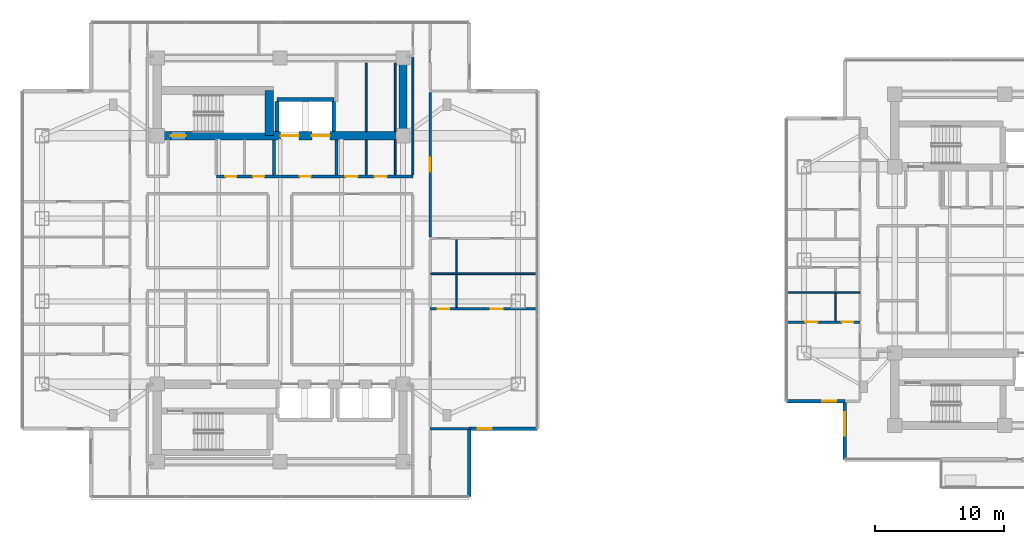
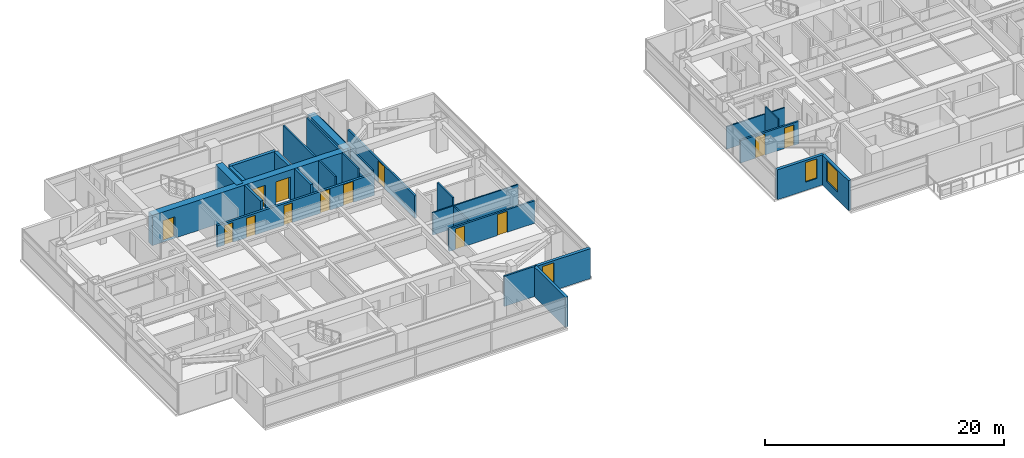
# One storey, part 15 of 24: 27 walls, 13 doors, 3 windows, 16 openings.
"""IFC4 building model written with IfcOpenShell, lengths in metres."""

from ifc_helpers import new_model, si_unit, direction, frame, frame_2d, origin, place, context, subcontext, project, spatial, rectangle, extrude, material, layer, layer_set, type_object, element, fill, save


model = new_model("IFC4")

# Units and contexts
model_context = context("Model", 3, precision=1e-05, world=origin(), true_north=direction((0.0, 1.0)))
body_context = subcontext(model_context, "Body", "Model", "MODEL_VIEW")
ifc_project = project(units=[si_unit("LENGTHUNIT", "METRE"), si_unit("AREAUNIT", "SQUARE_METRE"), si_unit("VOLUMEUNIT", "CUBIC_METRE"), si_unit("PLANEANGLEUNIT", "RADIAN"), si_unit("MASSUNIT", "GRAM", prefix="KILO")], contexts=[model_context])

# Site, building, storey
site_placement = place(None, origin())
site = spatial("IfcSite", under=ifc_project, at=site_placement, CompositionType="ELEMENT")
building_placement = place(site_placement, origin())
building = spatial("IfcBuilding", under=site, at=building_placement, Name="Mirazonda Arch Towers", CompositionType="ELEMENT")
storey_placement = place(building_placement, frame((0.0, 0.0, 118.10009765625)))
storey = spatial("IfcBuildingStorey", under=building, at=storey_placement, Name="L33", CompositionType="ELEMENT", Elevation=118.10009765625)

# Wall
ifc_material_1 = material(Name="Concrete C60/75", Category="concrete")
ifc_layer_1 = layer(ifc_material_1, 0.64990234375, Name="WALL-CORE-650")
ifc_layer_set_1 = layer_set([ifc_layer_1], Name="Concrete C60/75")
wall_type_1 = type_object("IfcWallType", Name="WALL-CORE-650", PredefinedType="SHEAR", material=ifc_layer_set_1)
wall_1_placement = place(storey_placement, frame((30.0, 37.60009765625, 0.0), z_axis=(0.0, 0.0, 1.0), x_axis=(0.0, 1.0, 0.0)))
element("IfcWall", 1, at=wall_1_placement, inside=storey, type_object=wall_type_1, Name="L33 T1N-E Core Shear Wall", PredefinedType="SHEAR", context=body_context, shape_type="SweptSolid", body=[
    extrude(rectangle(XDim=6.0, YDim=0.64990234375, at=frame_2d((3.0, 0.0))), origin(), (0.0, 0.0, 1.0), 3.079833984375),
])

# Wall, openings, doors
wall_2_placement = place(storey_placement, frame((11.0, 37.60009765625, 0.0), z_axis=(0.0, 0.0, 1.0), x_axis=(1.0, 0.0, 0.0)))
wall_2 = element("IfcWall", 2, at=wall_2_placement, inside=storey, type_object=wall_type_1, Name="L33 T1N-S Core Shear Wall", PredefinedType="SHEAR", context=body_context, shape_type="SweptSolid", body=[
    extrude(rectangle(XDim=19.0, YDim=0.64990234375, at=frame_2d((9.5, 0.0))), origin(), (0.0, 0.0, 1.0), 3.079833984375),
])
opening_1_placement = place(wall_2_placement, frame((1.06005859375, 0.0, 0.0)))
opening_1 = element("IfcOpeningElement", 3, at=opening_1_placement, cuts=wall_2, Name="Opening DR-135", PredefinedType="OPENING", context=body_context, shape_type="SweptSolid", body=[
    extrude(rectangle(XDim=1.14990234375, YDim=2.199951171875, at=frame_2d((0.574951171875, 1.10009765625))), frame((0.0, 0.3349609375, 0.0), z_axis=(0.0, -1.0, 0.0), x_axis=(1.0, 0.0, 0.0)), (0.0, 0.0, 1.0), 0.669921875),
])
opening_2_placement = place(wall_2_placement, frame((9.550048828125, 0.0, 0.0)))
opening_2 = element("IfcOpeningElement", 4, at=opening_2_placement, cuts=wall_2, Name="Opening LD-112", PredefinedType="OPENING", context=body_context, shape_type="SweptSolid", body=[
    extrude(rectangle(XDim=1.39990234375, YDim=2.35009765625, at=frame_2d((0.699951171875, 1.175048828125))), frame((0.0, 0.3349609375, 0.0), z_axis=(0.0, -1.0, 0.0), x_axis=(1.0, 0.0, 0.0)), (0.0, 0.0, 1.0), 0.669921875),
])
opening_3_placement = place(wall_2_placement, frame((11.949951171875, 0.0, 0.0)))
opening_3 = element("IfcOpeningElement", 5, at=opening_3_placement, cuts=wall_2, Name="Opening LD-112", PredefinedType="OPENING", context=body_context, shape_type="SweptSolid", body=[
    extrude(rectangle(XDim=1.39990234375, YDim=2.35009765625, at=frame_2d((0.699951171875, 1.175048828125))), frame((0.0, 0.3349609375, 0.0), z_axis=(0.0, -1.0, 0.0), x_axis=(1.0, 0.0, 0.0)), (0.0, 0.0, 1.0), 0.669921875),
])
ifc_material_2 = material(Name="Architectural Brushed Steel S355", Category="steel")
door_type_1 = type_object("IfcDoorType", Name="DOOR-LIFT-FFL-1400", OperationType="NOTDEFINED", PredefinedType="DOOR", material=ifc_material_2)
door_1_placement = place(opening_2_placement, origin())
door_1 = element("IfcDoor", 6, at=door_1_placement, inside=storey, type_object=door_type_1, Name="L33 Lift Landing Sliding Door FFL-T1", OperationType="DOUBLE_DOOR_SLIDING", OverallHeight=2.35009765625, OverallWidth=1.39990234375, PredefinedType="DOOR", context=body_context, shape_type="SweptSolid", body=[
    extrude(rectangle(XDim=1.39990234375, YDim=2.35009765625, at=frame_2d((0.699951171875, 1.175048828125))), frame((0.0, 0.02490234375, 0.0), z_axis=(0.0, -1.0, 0.0), x_axis=(1.0, 0.0, 0.0)), (0.0, 0.0, 1.0), 0.050048828125),
])
fill(opening_2, door_1)
door_2_placement = place(opening_3_placement, origin())
door_2 = element("IfcDoor", 7, at=door_2_placement, inside=storey, type_object=door_type_1, Name="L33 Lift Landing Sliding Door SVL-T1", OperationType="DOUBLE_DOOR_SLIDING", OverallHeight=2.35009765625, OverallWidth=1.39990234375, PredefinedType="DOOR", context=body_context, shape_type="SweptSolid", body=[
    extrude(rectangle(XDim=1.39990234375, YDim=2.35009765625, at=frame_2d((0.699951171875, 1.175048828125))), frame((0.0, 0.02490234375, 0.0), z_axis=(0.0, -1.0, 0.0), x_axis=(1.0, 0.0, 0.0)), (0.0, 0.0, 1.0), 0.050048828125),
])
fill(opening_3, door_2)
door_type_2 = type_object("IfcDoorType", Name="DOOR-STAIR-FD90-1150", OperationType="NOTDEFINED", PredefinedType="DOOR", material=ifc_material_2)
door_3_placement = place(opening_1_placement, origin())
door_3 = element("IfcDoor", 8, at=door_3_placement, inside=storey, type_object=door_type_2, Name="L33 Protected Exit Stair North Door", OperationType="SINGLE_SWING_LEFT", OverallHeight=2.199951171875, OverallWidth=1.14990234375, PredefinedType="DOOR", context=body_context, shape_type="SweptSolid", body=[
    extrude(rectangle(XDim=1.14990234375, YDim=2.199951171875, at=frame_2d((0.574951171875, 1.10009765625))), frame((0.0, 0.02490234375, 0.0), z_axis=(0.0, -1.0, 0.0), x_axis=(1.0, 0.0, 0.0)), (0.0, 0.0, 1.0), 0.050048828125),
])
fill(opening_1, door_3)

# Wall
wall_3_placement = place(storey_placement, frame((19.64990234375, 37.60009765625, 0.0), z_axis=(0.0, 0.0, 1.0), x_axis=(0.0, 1.0, 0.0)))
element("IfcWall", 9, at=wall_3_placement, inside=storey, type_object=wall_type_1, Name="L33 T1N-STE Core Shear Wall", PredefinedType="SHEAR", context=body_context, shape_type="SweptSolid", body=[
    extrude(rectangle(XDim=3.492919921875, YDim=0.64990234375, at=frame_2d((1.74658203125, 0.0))), origin(), (0.0, 0.0, 1.0), 3.079833984375),
])

# Wall, opening, window
ifc_material_3 = material(Name="Precast Concrete C40/50", Category="concrete")
ifc_layer_2 = layer(ifc_material_3, 0.280029296875, Name="WALL-EXT-WALL-280")
ifc_layer_set_2 = layer_set([ifc_layer_2], Name="Precast Concrete C40/50")
wall_type_2 = type_object("IfcWallType", Name="WALL-EXT-WALL-280", PredefinedType="SOLIDWALL", material=ifc_layer_set_2)
wall_4_placement = place(storey_placement, frame((35.110107421875, 14.949951171875, 0.0), z_axis=(0.0, 0.0, 1.0), x_axis=(1.0, 0.0, 0.0)))
wall_4 = element("IfcWall", 10, at=wall_4_placement, inside=storey, type_object=wall_type_2, Name="L33 T1 Corner Notch Return Wall WL-L33-T1-CSE1", PredefinedType="SOLIDWALL", context=body_context, shape_type="SweptSolid", body=[
    extrude(rectangle(XDim=5.269775390625, YDim=0.280029296875, at=frame_2d((2.634765625, 0.0))), origin(), (0.0, 0.0, 1.0), 3.059814453125),
])
opening_4_placement = place(wall_4_placement, frame((0.64990234375, 0.0, 0.85009765625)))
opening_4 = element("IfcOpeningElement", 11, at=opening_4_placement, cuts=wall_4, Name="Opening WN-108", PredefinedType="OPENING", context=body_context, shape_type="SweptSolid", body=[
    extrude(rectangle(XDim=1.10009765625, YDim=2.0, at=frame_2d((0.550048828125, 1.0))), frame((0.0, 0.14990234375, 0.0), z_axis=(0.0, -1.0, 0.0), x_axis=(1.0, 0.0, 0.0)), (0.0, 0.0, 1.0), 0.300048828125),
])
ifc_material_4 = material(Name="Insulated Low-E Solar Glass", Category="glass")
window_type_1 = type_object("IfcWindowType", Name="WIN-NOTCH-1100x2000", PartitioningType="SINGLE_PANEL", PredefinedType="WINDOW", material=ifc_material_4)
window_1_placement = place(opening_4_placement, origin())
window_1 = element("IfcWindow", 12, at=window_1_placement, inside=storey, type_object=window_type_1, Name="L33 Punched Facade Window WN-L33-T1-CSE1", OverallHeight=2.0, OverallWidth=1.10009765625, PartitioningType="SINGLE_PANEL", PredefinedType="WINDOW", context=body_context, shape_type="SweptSolid", body=[
    extrude(rectangle(XDim=1.10009765625, YDim=2.0, at=frame_2d((0.550048828125, 1.0))), frame((0.0, 0.030029296875, 0.0), z_axis=(0.0, -1.0, 0.0), x_axis=(1.0, 0.0, 0.0)), (0.0, 0.0, 1.0), 0.06005859375),
])
fill(opening_4, window_1)

# Wall
wall_5_placement = place(storey_placement, frame((35.110107421875, 9.679931640625, 0.0), z_axis=(0.0, 0.0, 1.0), x_axis=(0.0, 1.0, 0.0)))
element("IfcWall", 13, at=wall_5_placement, inside=storey, type_object=wall_type_2, Name="L33 T1 Corner Notch Return Wall WL-L33-T1-CSE2", PredefinedType="SOLIDWALL", context=body_context, shape_type="SweptSolid", body=[
    extrude(rectangle(XDim=5.27001953125, YDim=0.280029296875, at=frame_2d((2.635009765625, 0.0))), origin(), (0.0, 0.0, 1.0), 3.059814453125),
])

# Wall, opening, window
wall_6_placement = place(storey_placement, frame((64.1416015625, 17.0673828125, 0.0), z_axis=(0.0, 0.0, 1.0), x_axis=(0.0, -1.0, 0.0)))
wall_6 = element("IfcWall", 14, at=wall_6_placement, inside=storey, type_object=wall_type_2, Name="L33 T2 Notched SW Corner Wall WL-L33-T2-CSW", PredefinedType="SOLIDWALL", context=body_context, shape_type="SweptSolid", body=[
    extrude(rectangle(XDim=4.486328125, YDim=0.280029296875, at=frame_2d((2.2431640625, 0.0))), origin(), (0.0, 0.0, 1.0), 3.059814453125),
])
opening_5_placement = place(wall_6_placement, frame((0.85009765625, 0.0, 0.81005859375)))
opening_5 = element("IfcOpeningElement", 15, at=opening_5_placement, cuts=wall_6, Name="Opening WN-116", PredefinedType="OPENING", context=body_context, shape_type="SweptSolid", body=[
    extrude(rectangle(XDim=1.800048828125, YDim=2.10009765625, at=frame_2d((0.89990234375, 1.050048828125))), frame((0.0, 0.14990234375, 0.0), z_axis=(0.0, -1.0, 0.0), x_axis=(1.0, 0.0, 0.0)), (0.0, 0.0, 1.0), 0.300048828125),
])
window_type_2 = type_object("IfcWindowType", Name="WIN-HTL-1800x2100", PartitioningType="SINGLE_PANEL", PredefinedType="WINDOW", material=ifc_material_4)
window_2_placement = place(opening_5_placement, origin())
window_2 = element("IfcWindow", 16, at=window_2_placement, inside=storey, type_object=window_type_2, Name="L33 Punched Facade Window WN-L33-T2-CSW", OverallHeight=2.10009765625, OverallWidth=1.800048828125, PartitioningType="SINGLE_PANEL", PredefinedType="WINDOW", context=body_context, shape_type="SweptSolid", body=[
    extrude(rectangle(XDim=1.800048828125, YDim=2.10009765625, at=frame_2d((0.89990234375, 1.050048828125))), frame((0.0, 0.030029296875, 0.0), z_axis=(0.0, -1.0, 0.0), x_axis=(1.0, 0.0, 0.0)), (0.0, 0.0, 1.0), 0.06005859375),
])
fill(opening_5, window_2)

wall_7_placement = place(storey_placement, frame((59.655029296875, 17.0673828125, 0.0), z_axis=(0.0, 0.0, 1.0), x_axis=(1.0, 0.0, 0.0)))
wall_7 = element("IfcWall", 17, at=wall_7_placement, inside=storey, type_object=wall_type_2, Name="L33 T2 Corner Notch Return Wall WL-L33-T2-CSW2", PredefinedType="SOLIDWALL", context=body_context, shape_type="SweptSolid", body=[
    extrude(rectangle(XDim=4.486572265625, YDim=0.280029296875, at=frame_2d((2.2431640625, 0.0))), origin(), (0.0, 0.0, 1.0), 3.059814453125),
])
opening_6_placement = place(wall_7_placement, frame((2.737060546875, 0.0, 0.85009765625)))
opening_6 = element("IfcOpeningElement", 18, at=opening_6_placement, cuts=wall_7, Name="Opening WN-108", PredefinedType="OPENING", context=body_context, shape_type="SweptSolid", body=[
    extrude(rectangle(XDim=1.10009765625, YDim=2.0, at=frame_2d((0.550048828125, 1.0))), frame((0.0, 0.14990234375, 0.0), z_axis=(0.0, -1.0, 0.0), x_axis=(1.0, 0.0, 0.0)), (0.0, 0.0, 1.0), 0.300048828125),
])
window_3_placement = place(opening_6_placement, origin())
window_3 = element("IfcWindow", 19, at=window_3_placement, inside=storey, type_object=window_type_1, Name="L33 Punched Facade Window WN-L33-T2-CSW2", OverallHeight=2.0, OverallWidth=1.10009765625, PartitioningType="SINGLE_PANEL", PredefinedType="WINDOW", context=body_context, shape_type="SweptSolid", body=[
    extrude(rectangle(XDim=1.10009765625, YDim=2.0, at=frame_2d((0.550048828125, 1.0))), frame((0.0, 0.030029296875, 0.0), z_axis=(0.0, -1.0, 0.0), x_axis=(1.0, 0.0, 0.0)), (0.0, 0.0, 1.0), 0.06005859375),
])
fill(opening_6, window_3)

# Wall, openings, doors
ifc_material_5 = material(Name="Concrete C40/50", Category="concrete")
ifc_layer_3 = layer(ifc_material_5, 0.219970703125, Name="WALL-FFL-220")
ifc_layer_set_3 = layer_set([ifc_layer_3], Name="Concrete C40/50")
wall_type_3 = type_object("IfcWallType", Name="WALL-FFL-220", PredefinedType="SOLIDWALL", material=ifc_layer_set_3)
wall_8_placement = place(storey_placement, frame((15.590087890625, 34.449951171875, 0.0), z_axis=(0.0, 0.0, 1.0), x_axis=(1.0, 0.0, 0.0)))
wall_8 = element("IfcWall", 20, at=wall_8_placement, inside=storey, type_object=wall_type_3, Name="L33 Interior Partition 051", PredefinedType="SOLIDWALL", context=body_context, shape_type="SweptSolid", body=[
    extrude(rectangle(XDim=15.169921875, YDim=0.219970703125, at=frame_2d((7.5849609375, 0.0))), origin(), (0.0, 0.0, 1.0), 2.2158203125),
])
opening_7_placement = place(wall_8_placement, frame((6.43505859375, 0.0, 0.0)))
opening_7 = element("IfcOpeningElement", 21, at=opening_7_placement, cuts=wall_8, Name="Opening DR-128", PredefinedType="OPENING", context=body_context, shape_type="SweptSolid", body=[
    extrude(rectangle(XDim=0.85009765625, YDim=2.010009765625, at=frame_2d((0.425048828125, 1.0048828125))), frame((0.0, 0.119873046875, 0.0), z_axis=(0.0, -1.0, 0.0), x_axis=(1.0, 0.0, 0.0)), (0.0, 0.0, 1.0), 0.239990234375),
])
opening_8_placement = place(wall_8_placement, frame((9.9599609375, 0.0, 0.0)))
opening_8 = element("IfcOpeningElement", 22, at=opening_8_placement, cuts=wall_8, Name="Opening DR-104", PredefinedType="OPENING", context=body_context, shape_type="SweptSolid", body=[
    extrude(rectangle(XDim=0.949951171875, YDim=2.14990234375, at=frame_2d((0.47509765625, 1.074951171875))), frame((0.0, 0.119873046875, 0.0), z_axis=(0.0, -1.0, 0.0), x_axis=(1.0, 0.0, 0.0)), (0.0, 0.0, 1.0), 0.239990234375),
])
opening_9_placement = place(wall_8_placement, frame((12.2099609375, 0.0, 0.0)))
opening_9 = element("IfcOpeningElement", 23, at=opening_9_placement, cuts=wall_8, Name="Opening DR-104", PredefinedType="OPENING", context=body_context, shape_type="SweptSolid", body=[
    extrude(rectangle(XDim=0.949951171875, YDim=2.14990234375, at=frame_2d((0.47509765625, 1.074951171875))), frame((0.0, 0.119873046875, 0.0), z_axis=(0.0, -1.0, 0.0), x_axis=(1.0, 0.0, 0.0)), (0.0, 0.0, 1.0), 0.239990234375),
])
opening_10_placement = place(wall_8_placement, frame((0.675048828125, 0.0, 0.0)))
opening_10 = element("IfcOpeningElement", 24, at=opening_10_placement, cuts=wall_8, Name="Opening DR-128", PredefinedType="OPENING", context=body_context, shape_type="SweptSolid", body=[
    extrude(rectangle(XDim=0.85009765625, YDim=2.010009765625, at=frame_2d((0.425048828125, 1.0048828125))), frame((0.0, 0.119873046875, 0.0), z_axis=(0.0, -1.0, 0.0), x_axis=(1.0, 0.0, 0.0)), (0.0, 0.0, 1.0), 0.239990234375),
])
opening_11_placement = place(wall_8_placement, frame((2.8349609375, 0.0, 0.0)))
opening_11 = element("IfcOpeningElement", 25, at=opening_11_placement, cuts=wall_8, Name="Opening DR-128", PredefinedType="OPENING", context=body_context, shape_type="SweptSolid", body=[
    extrude(rectangle(XDim=0.85009765625, YDim=2.010009765625, at=frame_2d((0.425048828125, 1.0048828125))), frame((0.0, 0.119873046875, 0.0), z_axis=(0.0, -1.0, 0.0), x_axis=(1.0, 0.0, 0.0)), (0.0, 0.0, 1.0), 0.239990234375),
])
door_type_3 = type_object("IfcDoorType", Name="DOOR-RISER-FD60-850", OperationType="NOTDEFINED", PredefinedType="DOOR", material=ifc_material_2)
door_4_placement = place(opening_7_placement, origin())
door_4 = element("IfcDoor", 26, at=door_4_placement, inside=storey, type_object=door_type_3, Name="L33 Firefighting Lift Lobby Door", OperationType="SINGLE_SWING_RIGHT", OverallHeight=2.010009765625, OverallWidth=0.85009765625, PredefinedType="DOOR", context=body_context, shape_type="SweptSolid", body=[
    extrude(rectangle(XDim=0.85009765625, YDim=2.010009765625, at=frame_2d((0.425048828125, 1.0048828125))), frame((0.0, 0.02490234375, 0.0), z_axis=(0.0, -1.0, 0.0), x_axis=(1.0, 0.0, 0.0)), (0.0, 0.0, 1.0), 0.050048828125),
])
fill(opening_7, door_4)
door_5_placement = place(opening_10_placement, origin())
door_5 = element("IfcDoor", 27, at=door_5_placement, inside=storey, type_object=door_type_3, Name="L33 Electrical Room Door", OperationType="SINGLE_SWING_LEFT", OverallHeight=2.010009765625, OverallWidth=0.85009765625, PredefinedType="DOOR", context=body_context, shape_type="SweptSolid", body=[
    extrude(rectangle(XDim=0.85009765625, YDim=2.010009765625, at=frame_2d((0.425048828125, 1.0048828125))), frame((0.0, 0.02490234375, 0.0), z_axis=(0.0, -1.0, 0.0), x_axis=(1.0, 0.0, 0.0)), (0.0, 0.0, 1.0), 0.050048828125),
])
fill(opening_10, door_5)
door_6_placement = place(opening_11_placement, origin())
door_6 = element("IfcDoor", 28, at=door_6_placement, inside=storey, type_object=door_type_3, Name="L33 Cleaners & Housekeeping Store Door", OperationType="SINGLE_SWING_RIGHT", OverallHeight=2.010009765625, OverallWidth=0.85009765625, PredefinedType="DOOR", context=body_context, shape_type="SweptSolid", body=[
    extrude(rectangle(XDim=0.85009765625, YDim=2.010009765625, at=frame_2d((0.425048828125, 1.0048828125))), frame((0.0, 0.02490234375, 0.0), z_axis=(0.0, -1.0, 0.0), x_axis=(1.0, 0.0, 0.0)), (0.0, 0.0, 1.0), 0.050048828125),
])
fill(opening_11, door_6)
door_type_4 = type_object("IfcDoorType", Name="DOOR-ROOM-950", OperationType="NOTDEFINED", PredefinedType="DOOR", material=ifc_material_2)
door_7_placement = place(opening_8_placement, origin())
door_7 = element("IfcDoor", 29, at=door_7_placement, inside=storey, type_object=door_type_4, Name="L33 Executive Reading Library Door", OperationType="SINGLE_SWING_LEFT", OverallHeight=2.14990234375, OverallWidth=0.949951171875, PredefinedType="DOOR", context=body_context, shape_type="SweptSolid", body=[
    extrude(rectangle(XDim=0.949951171875, YDim=2.14990234375, at=frame_2d((0.47509765625, 1.074951171875))), frame((0.0, 0.02490234375, 0.0), z_axis=(0.0, -1.0, 0.0), x_axis=(1.0, 0.0, 0.0)), (0.0, 0.0, 1.0), 0.050048828125),
])
fill(opening_8, door_7)
door_8_placement = place(opening_9_placement, origin())
door_8 = element("IfcDoor", 30, at=door_8_placement, inside=storey, type_object=door_type_4, Name="L33 Private Quiet Study Door", OperationType="SINGLE_SWING_RIGHT", OverallHeight=2.14990234375, OverallWidth=0.949951171875, PredefinedType="DOOR", context=body_context, shape_type="SweptSolid", body=[
    extrude(rectangle(XDim=0.949951171875, YDim=2.14990234375, at=frame_2d((0.47509765625, 1.074951171875))), frame((0.0, 0.02490234375, 0.0), z_axis=(0.0, -1.0, 0.0), x_axis=(1.0, 0.0, 0.0)), (0.0, 0.0, 1.0), 0.050048828125),
])
fill(opening_9, door_8)

# Walls
for number, where, z_axis, x_axis, name in (
    (31, (20.02490234375, 34.570068359375, 0.0), (0.0, 0.0, 1.0), (0.0, 1.0, 0.0), "L33 Interior Partition 090"),
    (32, (24.85009765625, 34.570068359375, 0.0), (0.0, 0.0, 1.0), (0.0, 1.0, 0.0), "L33 Interior Partition 099"),
):
    element("IfcWall", number, at=place(storey_placement, frame(where, z_axis=z_axis, x_axis=x_axis)), inside=storey, type_object=wall_type_3, Name=name, PredefinedType="SOLIDWALL", context=body_context, shape_type="SweptSolid", body=[
        extrude(rectangle(XDim=2.7099609375, YDim=0.219970703125, at=frame_2d((1.35498046875, 0.0))), origin(), (0.0, 0.0, 1.0), 3.079833984375),
    ])
ifc_material_6 = material(Name="Fire-Rated Gypsum Stud Partition")
ifc_layer_4 = layer(ifc_material_6, 0.14990234375, Name="WALL-PART-CORR-150")
ifc_layer_set_4 = layer_set([ifc_layer_4], Name="Fire-Rated Gypsum Stud Partition")
wall_type_4 = type_object("IfcWallType", Name="WALL-PART-CORR-150", PredefinedType="PARTITIONING", material=ifc_layer_set_4)
wall_9_placement = place(storey_placement, frame((27.14990234375, 34.570068359375, 0.0), z_axis=(0.0, 0.0, 1.0), x_axis=(0.0, 1.0, 0.0)))
element("IfcWall", 33, at=wall_9_placement, inside=storey, type_object=wall_type_4, Name="L33 Interior Partition 101", PredefinedType="PARTITIONING", context=body_context, shape_type="SweptSolid", body=[
    extrude(rectangle(XDim=2.7099609375, YDim=0.14990234375, at=frame_2d((1.35498046875, 0.0))), origin(), (0.0, 0.0, 1.0), 3.079833984375),
])
wall_10_placement = place(storey_placement, frame((27.14990234375, 37.919921875, 0.0), z_axis=(0.0, 0.0, 1.0), x_axis=(0.0, 1.0, 0.0)))
element("IfcWall", 34, at=wall_10_placement, inside=storey, type_object=wall_type_4, Name="L33 Interior Partition 102", PredefinedType="PARTITIONING", context=body_context, shape_type="SweptSolid", body=[
    extrude(rectangle(XDim=5.280029296875, YDim=0.14990234375, at=frame_2d((2.64013671875, 0.0))), origin(), (0.0, 0.0, 1.0), 3.079833984375),
])
wall_11_placement = place(storey_placement, frame((29.39990234375, 34.570068359375, 0.0), z_axis=(0.0, 0.0, 1.0), x_axis=(0.0, 1.0, 0.0)))
element("IfcWall", 35, at=wall_11_placement, inside=storey, type_object=wall_type_4, Name="L33 Interior Partition 104", PredefinedType="PARTITIONING", context=body_context, shape_type="SweptSolid", body=[
    extrude(rectangle(XDim=2.7099609375, YDim=0.14990234375, at=frame_2d((1.35498046875, 0.0))), origin(), (0.0, 0.0, 1.0), 3.079833984375),
])
wall_12_placement = place(storey_placement, frame((29.39990234375, 37.919921875, 0.0), z_axis=(0.0, 0.0, 1.0), x_axis=(0.0, 1.0, 0.0)))
element("IfcWall", 36, at=wall_12_placement, inside=storey, type_object=wall_type_4, Name="L33 Interior Partition 105", PredefinedType="PARTITIONING", context=body_context, shape_type="SweptSolid", body=[
    extrude(rectangle(XDim=5.280029296875, YDim=0.14990234375, at=frame_2d((2.64013671875, 0.0))), origin(), (0.0, 0.0, 1.0), 3.079833984375),
])
wall_13_placement = place(storey_placement, frame((30.760009765625, 34.570068359375, 0.0), z_axis=(0.0, 0.0, 1.0), x_axis=(0.0, 1.0, 0.0)))
element("IfcWall", 37, at=wall_13_placement, inside=storey, type_object=wall_type_4, Name="L33 Interior Partition 110", PredefinedType="PARTITIONING", context=body_context, shape_type="SweptSolid", body=[
    extrude(rectangle(XDim=9.094970703125, YDim=0.14990234375, at=frame_2d((4.54736328125, 0.0))), origin(), (0.0, 0.0, 1.0), 2.455810546875),
])
ifc_material_7 = material(Name="Fire-Rated Gypsum Twin-Stud Assembly")
ifc_layer_5 = layer(ifc_material_7, 0.179931640625, Name="WALL-PART-DEMISE-180")
ifc_layer_set_5 = layer_set([ifc_layer_5], Name="Fire-Rated Gypsum Twin-Stud Assembly")
wall_type_5 = type_object("IfcWallType", Name="WALL-PART-DEMISE-180", PredefinedType="PARTITIONING", material=ifc_layer_set_5)
wall_14_placement = place(storey_placement, frame((32.10009765625, 14.949951171875, 0.0), z_axis=(0.0, 0.0, 1.0), x_axis=(1.0, 0.0, 0.0)))
element("IfcWall", 38, at=wall_14_placement, inside=storey, type_object=wall_type_5, Name="L33 Interior Partition 005", PredefinedType="PARTITIONING", context=body_context, shape_type="SweptSolid", body=[
    extrude(rectangle(XDim=2.989990234375, YDim=0.179931640625, at=frame_2d((1.4951171875, 0.0))), origin(), (0.0, 0.0, 1.0), 3.079833984375),
])

# Wall, openings, doors
wall_15_placement = place(storey_placement, frame((59.655029296875, 23.19189453125, 0.0), z_axis=(0.0, 0.0, 1.0), x_axis=(1.0, 0.0, 0.0)))
wall_15 = element("IfcWall", 39, at=wall_15_placement, inside=storey, type_object=wall_type_5, Name="L33 Interior Partition 025", PredefinedType="PARTITIONING", context=body_context, shape_type="SweptSolid", body=[
    extrude(rectangle(XDim=5.6650390625, YDim=0.179931640625, at=frame_2d((2.83251953125, 0.0))), origin(), (0.0, 0.0, 1.0), 2.298828125),
])
opening_12_placement = place(wall_15_placement, frame((1.4375, 0.0, 0.0)))
opening_12 = element("IfcOpeningElement", 40, at=opening_12_placement, cuts=wall_15, Name="Opening DR-104", PredefinedType="OPENING", context=body_context, shape_type="SweptSolid", body=[
    extrude(rectangle(XDim=0.949951171875, YDim=2.14990234375, at=frame_2d((0.47509765625, 1.074951171875))), frame((0.0, 0.099853515625, 0.0), z_axis=(0.0, -1.0, 0.0), x_axis=(1.0, 0.0, 0.0)), (0.0, 0.0, 1.0), 0.199951171875),
])
opening_13_placement = place(wall_15_placement, frame((4.2548828125, 0.0, 0.0)))
opening_13 = element("IfcOpeningElement", 41, at=opening_13_placement, cuts=wall_15, Name="Opening DR-120", PredefinedType="OPENING", context=body_context, shape_type="SweptSolid", body=[
    extrude(rectangle(XDim=0.89990234375, YDim=2.10009765625, at=frame_2d((0.449951171875, 1.050048828125))), frame((0.0, 0.099853515625, 0.0), z_axis=(0.0, -1.0, 0.0), x_axis=(1.0, 0.0, 0.0)), (0.0, 0.0, 1.0), 0.199951171875),
])
door_9_placement = place(opening_12_placement, origin())
door_9 = element("IfcDoor", 42, at=door_9_placement, inside=storey, type_object=door_type_4, Name="L33 Studio 1 Galley Kitchen Door", OperationType="SINGLE_SWING_RIGHT", OverallHeight=2.14990234375, OverallWidth=0.949951171875, PredefinedType="DOOR", context=body_context, shape_type="SweptSolid", body=[
    extrude(rectangle(XDim=0.949951171875, YDim=2.14990234375, at=frame_2d((0.47509765625, 1.074951171875))), frame((0.0, 0.02490234375, 0.0), z_axis=(0.0, -1.0, 0.0), x_axis=(1.0, 0.0, 0.0)), (0.0, 0.0, 1.0), 0.050048828125),
])
fill(opening_12, door_9)
door_type_5 = type_object("IfcDoorType", Name="DOOR-WC-900", OperationType="NOTDEFINED", PredefinedType="DOOR", material=ifc_material_2)
door_10_placement = place(opening_13_placement, origin())
door_10 = element("IfcDoor", 43, at=door_10_placement, inside=storey, type_object=door_type_5, Name="L33 Studio 1 Bathroom Door", OperationType="SINGLE_SWING_LEFT", OverallHeight=2.10009765625, OverallWidth=0.89990234375, PredefinedType="DOOR", context=body_context, shape_type="SweptSolid", body=[
    extrude(rectangle(XDim=0.89990234375, YDim=2.10009765625, at=frame_2d((0.449951171875, 1.050048828125))), frame((0.0, 0.02490234375, 0.0), z_axis=(0.0, -1.0, 0.0), x_axis=(1.0, 0.0, 0.0)), (0.0, 0.0, 1.0), 0.050048828125),
])
fill(opening_13, door_10)

wall_16_placement = place(storey_placement, frame((32.10009765625, 24.2119140625, 0.0), z_axis=(0.0, 0.0, 1.0), x_axis=(1.0, 0.0, 0.0)))
wall_16 = element("IfcWall", 44, at=wall_16_placement, inside=storey, type_object=wall_type_5, Name="L33 Interior Partition 026", PredefinedType="PARTITIONING", context=body_context, shape_type="SweptSolid", body=[
    extrude(rectangle(XDim=8.27978515625, YDim=0.179931640625, at=frame_2d((4.139892578125, 0.0))), origin(), (0.0, 0.0, 1.0), 2.298828125),
])
opening_14_placement = place(wall_16_placement, frame((4.6650390625, 0.0, 0.0)))
opening_14 = element("IfcOpeningElement", 45, at=opening_14_placement, cuts=wall_16, Name="Opening DR-104", PredefinedType="OPENING", context=body_context, shape_type="SweptSolid", body=[
    extrude(rectangle(XDim=0.949951171875, YDim=2.14990234375, at=frame_2d((0.47509765625, 1.074951171875))), frame((0.0, 0.099853515625, 0.0), z_axis=(0.0, -1.0, 0.0), x_axis=(1.0, 0.0, 0.0)), (0.0, 0.0, 1.0), 0.199951171875),
])
opening_15_placement = place(wall_16_placement, frame((0.590087890625, 0.0, 0.0)))
opening_15 = element("IfcOpeningElement", 46, at=opening_15_placement, cuts=wall_16, Name="Opening DR-120", PredefinedType="OPENING", context=body_context, shape_type="SweptSolid", body=[
    extrude(rectangle(XDim=0.89990234375, YDim=2.10009765625, at=frame_2d((0.449951171875, 1.050048828125))), frame((0.0, 0.099853515625, 0.0), z_axis=(0.0, -1.0, 0.0), x_axis=(1.0, 0.0, 0.0)), (0.0, 0.0, 1.0), 0.199951171875),
])
door_11_placement = place(opening_14_placement, origin())
door_11 = element("IfcDoor", 47, at=door_11_placement, inside=storey, type_object=door_type_4, Name="L33 Suite Bedroom 1 Door", OperationType="SINGLE_SWING_RIGHT", OverallHeight=2.14990234375, OverallWidth=0.949951171875, PredefinedType="DOOR", context=body_context, shape_type="SweptSolid", body=[
    extrude(rectangle(XDim=0.949951171875, YDim=2.14990234375, at=frame_2d((0.47509765625, 1.074951171875))), frame((0.0, 0.02490234375, 0.0), z_axis=(0.0, -1.0, 0.0), x_axis=(1.0, 0.0, 0.0)), (0.0, 0.0, 1.0), 0.050048828125),
])
fill(opening_14, door_11)
door_12_placement = place(opening_15_placement, origin())
door_12 = element("IfcDoor", 48, at=door_12_placement, inside=storey, type_object=door_type_5, Name="L33 Suite En-Suite Bathroom 1 Door", OperationType="SINGLE_SWING_LEFT", OverallHeight=2.10009765625, OverallWidth=0.89990234375, PredefinedType="DOOR", context=body_context, shape_type="SweptSolid", body=[
    extrude(rectangle(XDim=0.89990234375, YDim=2.10009765625, at=frame_2d((0.449951171875, 1.050048828125))), frame((0.0, 0.02490234375, 0.0), z_axis=(0.0, -1.0, 0.0), x_axis=(1.0, 0.0, 0.0)), (0.0, 0.0, 1.0), 0.050048828125),
])
fill(opening_15, door_12)

# Wall, opening, door
wall_17_placement = place(storey_placement, frame((32.10009765625, 29.751953125, 0.0), z_axis=(0.0, 0.0, 1.0), x_axis=(0.0, 1.0, 0.0)))
wall_17 = element("IfcWall", 49, at=wall_17_placement, inside=storey, type_object=wall_type_5, Name="L33 Interior Partition 116", PredefinedType="PARTITIONING", context=body_context, shape_type="SweptSolid", body=[
    extrude(rectangle(XDim=11.197998046875, YDim=0.179931640625, at=frame_2d((5.59912109375, 0.0))), origin(), (0.0, 0.0, 1.0), 2.298828125),
])
opening_16_placement = place(wall_17_placement, frame((5.073974609375, 0.0, 0.0)))
opening_16 = element("IfcOpeningElement", 50, at=opening_16_placement, cuts=wall_17, Name="Opening DR-121", PredefinedType="OPENING", context=body_context, shape_type="SweptSolid", body=[
    extrude(rectangle(XDim=1.050048828125, YDim=2.199951171875, at=frame_2d((0.52490234375, 1.10009765625))), frame((0.0, 0.099853515625, 0.0), z_axis=(0.0, -1.0, 0.0), x_axis=(1.0, 0.0, 0.0)), (0.0, 0.0, 1.0), 0.199951171875),
])
door_type_6 = type_object("IfcDoorType", Name="DOOR-SUITE-FD60-1050", OperationType="NOTDEFINED", PredefinedType="DOOR", material=ifc_material_2)
door_13_placement = place(opening_16_placement, origin())
door_13 = element("IfcDoor", 51, at=door_13_placement, inside=storey, type_object=door_type_6, Name="L33 Presidential Hotel Suite 2 Door", OperationType="SINGLE_SWING_RIGHT", OverallHeight=2.199951171875, OverallWidth=1.050048828125, PredefinedType="DOOR", context=body_context, shape_type="SweptSolid", body=[
    extrude(rectangle(XDim=1.050048828125, YDim=2.199951171875, at=frame_2d((0.52490234375, 1.10009765625))), frame((0.0, 0.02490234375, 0.0), z_axis=(0.0, -1.0, 0.0), x_axis=(1.0, 0.0, 0.0)), (0.0, 0.0, 1.0), 0.050048828125),
])
fill(opening_16, door_13)

# Walls
ifc_material_8 = material(Name="Acoustic Fire-Rated Gypsum Partition")
ifc_layer_6 = layer(ifc_material_8, 0.125, Name="WALL-PART-UNIT-125")
ifc_layer_set_6 = layer_set([ifc_layer_6], Name="Acoustic Fire-Rated Gypsum Partition")
wall_type_6 = type_object("IfcWallType", Name="WALL-PART-UNIT-125", PredefinedType="PARTITIONING", material=ifc_layer_set_6)
wall_18_placement = place(storey_placement, frame((59.655029296875, 25.491943359375, 0.0), z_axis=(0.0, 0.0, 1.0), x_axis=(1.0, 0.0, 0.0)))
element("IfcWall", 52, at=wall_18_placement, inside=storey, type_object=wall_type_6, Name="L33 Interior Partition 031", PredefinedType="PARTITIONING", context=body_context, shape_type="SweptSolid", body=[
    extrude(rectangle(XDim=5.6650390625, YDim=0.125, at=frame_2d((2.83251953125, 0.0))), origin(), (0.0, 0.0, 1.0), 2.298828125),
])
wall_19_placement = place(storey_placement, frame((32.10009765625, 26.931884765625, 0.0), z_axis=(0.0, 0.0, 1.0), x_axis=(1.0, 0.0, 0.0)))
element("IfcWall", 53, at=wall_19_placement, inside=storey, type_object=wall_type_6, Name="L33 Interior Partition 033", PredefinedType="PARTITIONING", context=body_context, shape_type="SweptSolid", body=[
    extrude(rectangle(XDim=8.27978515625, YDim=0.125, at=frame_2d((4.139892578125, 0.0))), origin(), (0.0, 0.0, 1.0), 2.298828125),
])
wall_20_placement = place(storey_placement, frame((34.139892578125, 24.31201171875, 0.0), z_axis=(0.0, 0.0, 1.0), x_axis=(0.0, 1.0, 0.0)))
element("IfcWall", 54, at=wall_20_placement, inside=storey, type_object=wall_type_6, Name="L33 Interior Partition 118", PredefinedType="PARTITIONING", context=body_context, shape_type="SweptSolid", body=[
    extrude(rectangle(XDim=2.547607421875, YDim=0.125, at=frame_2d((1.27392578125, 0.0))), origin(), (0.0, 0.0, 1.0), 2.298828125),
])
wall_21_placement = place(storey_placement, frame((34.139892578125, 27.00439453125, 0.0), z_axis=(0.0, 0.0, 1.0), x_axis=(0.0, 1.0, 0.0)))
element("IfcWall", 55, at=wall_21_placement, inside=storey, type_object=wall_type_6, Name="L33 Interior Partition 119", PredefinedType="PARTITIONING", context=body_context, shape_type="SweptSolid", body=[
    extrude(rectangle(XDim=2.547607421875, YDim=0.125, at=frame_2d((1.27392578125, 0.0))), origin(), (0.0, 0.0, 1.0), 3.079833984375),
])
wall_22_placement = place(storey_placement, frame((63.43994140625, 23.2919921875, 0.0), z_axis=(0.0, 0.0, 1.0), x_axis=(0.0, 1.0, 0.0)))
element("IfcWall", 56, at=wall_22_placement, inside=storey, type_object=wall_type_6, Name="L33 Interior Partition 120", PredefinedType="PARTITIONING", context=body_context, shape_type="SweptSolid", body=[
    extrude(rectangle(XDim=2.12744140625, YDim=0.125, at=frame_2d((1.063720703125, 0.0))), origin(), (0.0, 0.0, 1.0), 3.079833984375),
])
ifc_material_9 = material(Name="Concrete C50/60", Category="concrete")
ifc_layer_7 = layer(ifc_material_9, 0.300048828125, Name="WALL-SHAFT-300")
ifc_layer_set_7 = layer_set([ifc_layer_7], Name="Concrete C50/60")
wall_type_7 = type_object("IfcWallType", Name="WALL-SHAFT-300", PredefinedType="SOLIDWALL", material=ifc_layer_set_7)
wall_23_placement = place(storey_placement, frame((20.25, 40.39990234375, 0.0), z_axis=(0.0, 0.0, 1.0), x_axis=(1.0, 0.0, 0.0)))
element("IfcWall", 57, at=wall_23_placement, inside=storey, type_object=wall_type_7, Name="L33 Interior Partition 058", PredefinedType="SOLIDWALL", context=body_context, shape_type="SweptSolid", body=[
    extrude(rectangle(XDim=4.39990234375, YDim=0.300048828125, at=frame_2d((2.199951171875, 0.0))), origin(), (0.0, 0.0, 1.0), 3.079833984375),
])
for number, where, z_axis, x_axis, name in (
    (58, (20.25, 37.919921875, 0.0), (0.0, 0.0, 1.0), (0.0, 1.0, 0.0), "L33 Interior Partition 093"),
    (59, (24.64990234375, 37.919921875, 0.0), (0.0, 0.0, 1.0), (0.0, 1.0, 0.0), "L33 Interior Partition 097"),
):
    element("IfcWall", number, at=place(storey_placement, frame(where, z_axis=z_axis, x_axis=x_axis)), inside=storey, type_object=wall_type_7, Name=name, PredefinedType="SOLIDWALL", context=body_context, shape_type="SweptSolid", body=[
        extrude(rectangle(XDim=2.320068359375, YDim=0.300048828125, at=frame_2d((1.16015625, 0.0))), origin(), (0.0, 0.0, 1.0), 3.079833984375),
    ])

save(model, "model.ifc")
